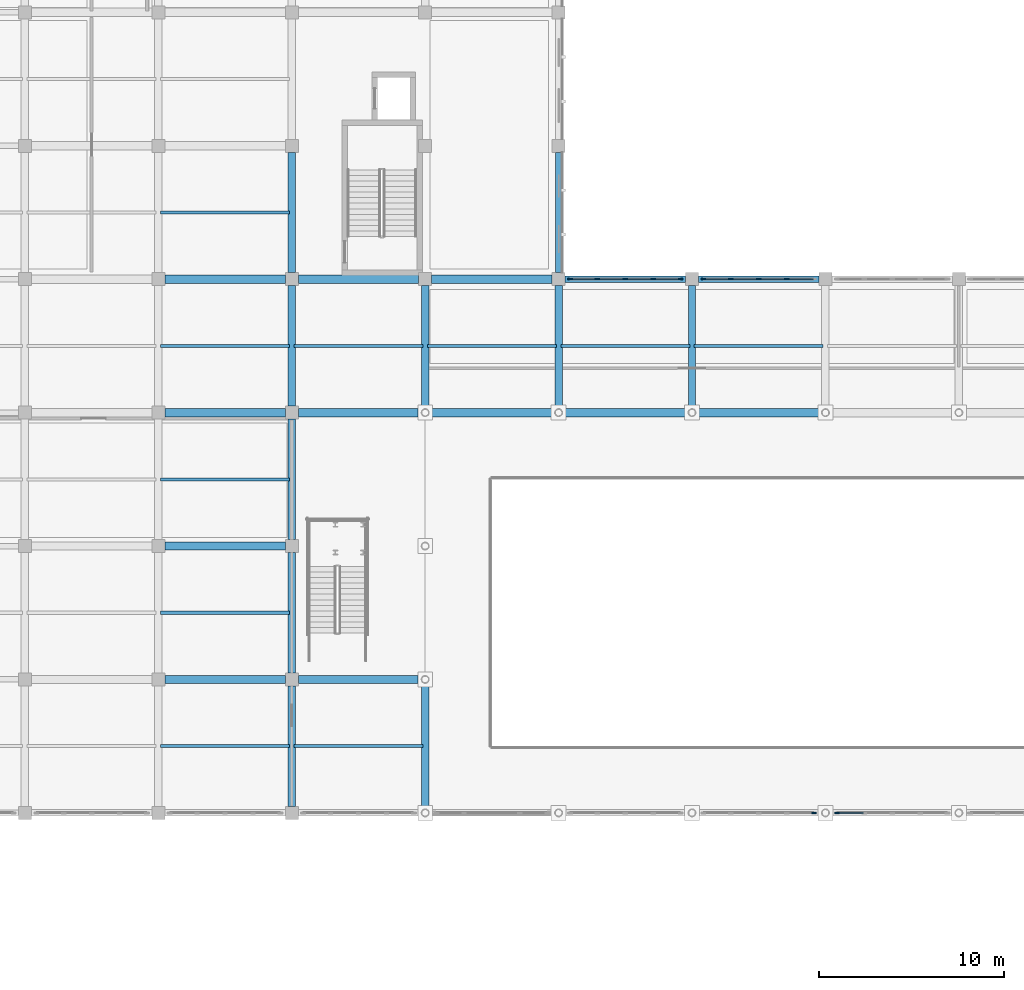
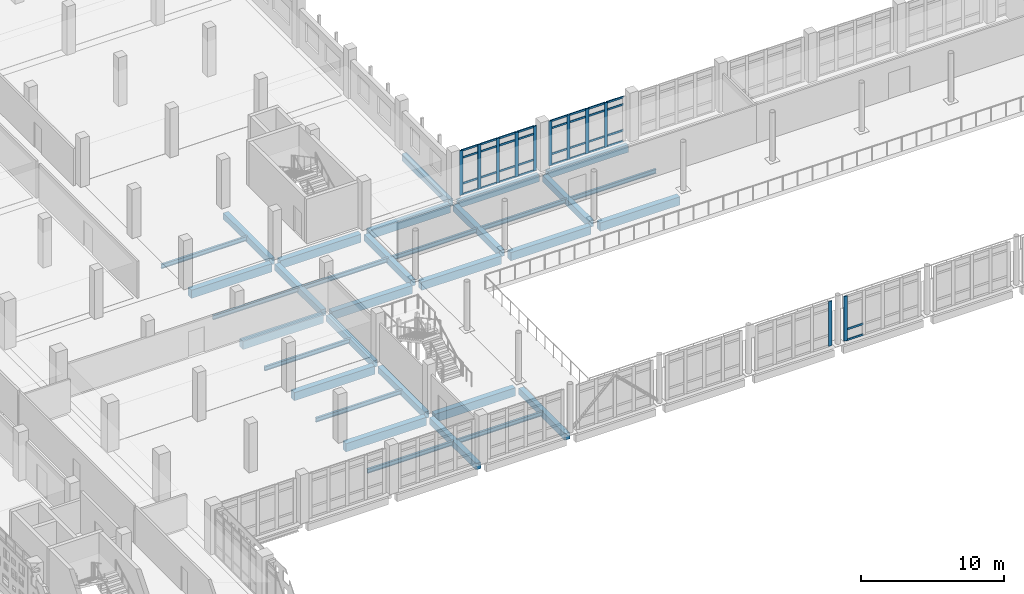
# One storey, part 16 of 62: 45 members, 33 beams, 4 elements without a shape of their own.
"""IFC4 building model written with IfcOpenShell, lengths in metres."""

from ifc_helpers import new_model, si_unit, direction, frame, origin, origin_2d, place, context, subcontext, project, spatial, rectangle, i_section, extrude, material, layer, layer_set, material_profile, profile_set, type_object, element, aggregate, save


model = new_model("IFC4")

# Units and contexts
model_context = context("Model", 3, precision=1e-05, world=origin(), true_north=direction((0.0, 1.0)))
body_context = subcontext(model_context, "Body", "Model", "MODEL_VIEW")
ifc_project = project(units=[si_unit("LENGTHUNIT", "METRE"), si_unit("AREAUNIT", "SQUARE_METRE"), si_unit("VOLUMEUNIT", "CUBIC_METRE"), si_unit("PLANEANGLEUNIT", "RADIAN"), si_unit("MASSUNIT", "GRAM", prefix="KILO")], contexts=[model_context])

# Site, building, storey
site_placement = place(None, origin())
site = spatial("IfcSite", under=ifc_project, at=site_placement, CompositionType="ELEMENT")
building_placement = place(site_placement, origin())
building = spatial("IfcBuilding", under=site, at=building_placement, Name="Valkovuoma Quantum and Materials Research Institute", CompositionType="ELEMENT")
storey_placement = place(building_placement, frame((0.0, 0.0, 8.9599609375)))
storey = spatial("IfcBuildingStorey", under=building, at=storey_placement, Name="L02", CompositionType="ELEMENT", Elevation=8.9599609375)

# Beams
ifc_material_1 = material(Name="Steel S355J2", Category="steel")
ifc_material_profile_1 = material_profile(ifc_material_1, i_section(OverallWidth=0.169921875, OverallDepth=0.360107421875, WebThickness=0.008056640625, FlangeThickness=0.0126953125, FilletRadius=0.01806640625, at=origin_2d()), Name="Steel S355J2")
ifc_profile_set_1 = profile_set([ifc_material_profile_1], Name="Steel S355J2")
beam_type_1 = type_object("IfcBeamType", Name="Beam-B-JST360", PredefinedType="JOIST", material=ifc_profile_set_1)
for number, where, z_axis, x_axis, name in (
    (1, (28.919921875, 39.60009765625, -0.530029296875), (1.0, 0.0, 0.0), (0.0, 1.0, 0.0), "L02 floor joist 1311"),
    (2, (36.1201171875, 39.60009765625, -0.530029296875), (1.0, 0.0, 0.0), (0.0, 1.0, 0.0), "L02 floor joist 1312"),
    (3, (28.919921875, 46.800048828125, -0.530029296875), (1.0, 0.0, 0.0), (0.0, 1.0, 0.0), "L02 floor joist 1323"),
    (4, (28.919921875, 54.0, -0.530029296875), (1.0, 0.0, 0.0), (0.0, 1.0, 0.0), "L02 floor joist 1334"),
    (5, (28.919921875, 61.199951171875, -0.530029296875), (1.0, 0.0, 0.0), (0.0, 1.0, 0.0), "L02 floor joist 1345"),
    (6, (36.1201171875, 61.199951171875, -0.530029296875), (1.0, 0.0, 0.0), (0.0, 1.0, 0.0), "L02 floor joist 1346"),
    (7, (43.320068359375, 61.199951171875, -0.530029296875), (1.0, 0.0, 0.0), (0.0, 1.0, 0.0), "L02 floor joist 1347"),
    (8, (50.52001953125, 61.199951171875, -0.530029296875), (1.0, 0.0, 0.0), (0.0, 1.0, 0.0), "L02 floor joist 1348"),
    (9, (57.719970703125, 61.199951171875, -0.530029296875), (1.0, 0.0, 0.0), (0.0, 1.0, 0.0), "L02 floor joist 1349"),
    (10, (28.919921875, 68.39990234375, -0.530029296875), (1.0, 0.0, 0.0), (0.0, 1.0, 0.0), "L02 floor joist 1364"),
):
    element("IfcBeam", number, at=place(storey_placement, frame(where, z_axis=z_axis, x_axis=x_axis)), inside=storey, type_object=beam_type_1, Name=name, PredefinedType="JOIST", context=body_context, shape_type="SweptSolid", body=[
        extrude(i_section(OverallWidth=0.169921875, OverallDepth=0.360107421875, WebThickness=0.008056640625, FlangeThickness=0.0126953125, FilletRadius=0.01806640625, at=origin_2d()), origin(), (0.0, 0.0, 1.0), 6.9599609375),
    ])
ifc_material_2 = material(Name="Concrete C40/50", Category="concrete")
ifc_material_profile_2 = material_profile(ifc_material_2, rectangle(XDim=0.39990234375, YDim=0.550048828125, at=origin_2d()), Name="Concrete C40/50")
ifc_profile_set_2 = profile_set([ifc_material_profile_2], Name="Concrete C40/50")
beam_type_2 = type_object("IfcBeamType", Name="Beam-B-RC550", PredefinedType="BEAM", material=ifc_profile_set_2)
for number, where, z_axis, x_axis, name in (
    (11, (36.0, 36.35009765625, -0.625), (0.0, 1.0, 0.0), (-1.0, 0.0, 0.0), "L02 beam Y-1188"),
    (12, (36.0, 43.550048828125, -0.625), (0.0, 1.0, 0.0), (-1.0, 0.0, 0.0), "L02 beam Y-1189"),
    (13, (36.0, 50.75, -0.625), (0.0, 1.0, 0.0), (-1.0, 0.0, 0.0), "L02 beam Y-1190"),
    (14, (36.0, 57.949951171875, -0.625), (0.0, 1.0, 0.0), (-1.0, 0.0, 0.0), "L02 beam Y-1191"),
    (15, (36.0, 65.14990234375, -0.625), (0.0, 1.0, 0.0), (-1.0, 0.0, 0.0), "L02 beam Y-1192"),
):
    element("IfcBeam", number, at=place(storey_placement, frame(where, z_axis=z_axis, x_axis=x_axis)), inside=storey, type_object=beam_type_2, Name=name, PredefinedType="BEAM", context=body_context, shape_type="SweptSolid", body=[
        extrude(rectangle(XDim=0.39990234375, YDim=0.550048828125, at=origin_2d()), origin(), (0.0, 0.0, 1.0), 6.5),
    ])
beam_1_placement = place(storey_placement, frame((43.199951171875, 36.375, -0.625), z_axis=(0.0, 1.0, 0.0), x_axis=(-1.0, 0.0, 0.0)))
element("IfcBeam", 16, at=beam_1_placement, inside=storey, type_object=beam_type_2, Name="L02 beam Y-1198", PredefinedType="BEAM", context=body_context, shape_type="SweptSolid", body=[
    extrude(rectangle(XDim=0.39990234375, YDim=0.550048828125, at=origin_2d()), origin(), (0.0, 0.0, 1.0), 6.449951171875),
])
for number, where, z_axis, x_axis, name in (
    (17, (43.199951171875, 57.97509765625, -0.625), (0.0, 1.0, 0.0), (-1.0, 0.0, 0.0), "L02 beam Y-1199"),
    (18, (50.39990234375, 57.97509765625, -0.625), (0.0, 1.0, 0.0), (-1.0, 0.0, 0.0), "L02 beam Y-1204"),
    (19, (57.60009765625, 57.97509765625, -0.625), (0.0, 1.0, 0.0), (-1.0, 0.0, 0.0), "L02 beam Y-1211"),
):
    element("IfcBeam", number, at=place(storey_placement, frame(where, z_axis=z_axis, x_axis=x_axis)), inside=storey, type_object=beam_type_2, Name=name, PredefinedType="BEAM", context=body_context, shape_type="SweptSolid", body=[
        extrude(rectangle(XDim=0.39990234375, YDim=0.550048828125, at=origin_2d()), origin(), (0.0, 0.0, 1.0), 6.474853515625),
    ])
ifc_material_3 = material(Name="Concrete C40/50", Category="concrete")
ifc_material_profile_3 = material_profile(ifc_material_3, rectangle(XDim=0.449951171875, YDim=0.699951171875, at=origin_2d()), Name="Concrete C40/50")
ifc_profile_set_3 = profile_set([ifc_material_profile_3], Name="Concrete C40/50")
beam_type_3 = type_object("IfcBeamType", Name="Beam-B-RC700", PredefinedType="BEAM", material=ifc_profile_set_3)
beam_2_placement = place(storey_placement, frame((29.14990234375, 43.199951171875, -0.699951171875), z_axis=(1.0, 0.0, 0.0), x_axis=(0.0, 1.0, 0.0)))
element("IfcBeam", 20, at=beam_2_placement, inside=storey, type_object=beam_type_3, Name="L02 beam X-1026", PredefinedType="BEAM", context=body_context, shape_type="SweptSolid", body=[
    extrude(rectangle(XDim=0.449951171875, YDim=0.699951171875, at=origin_2d()), origin(), (0.0, 0.0, 1.0), 6.5),
])
beam_3_placement = place(storey_placement, frame((36.35009765625, 43.199951171875, -0.699951171875), z_axis=(1.0, 0.0, 0.0), x_axis=(0.0, 1.0, 0.0)))
element("IfcBeam", 21, at=beam_3_placement, inside=storey, type_object=beam_type_3, Name="L02 beam X-1027", PredefinedType="BEAM", context=body_context, shape_type="SweptSolid", body=[
    extrude(rectangle(XDim=0.449951171875, YDim=0.699951171875, at=origin_2d()), origin(), (0.0, 0.0, 1.0), 6.474853515625),
])
for number, where, z_axis, x_axis, name in (
    (22, (29.14990234375, 50.39990234375, -0.699951171875), (1.0, 0.0, 0.0), (0.0, 1.0, 0.0), "L02 beam X-1038"),
    (23, (29.14990234375, 57.60009765625, -0.699951171875), (1.0, 0.0, 0.0), (0.0, 1.0, 0.0), "L02 beam X-1049"),
):
    element("IfcBeam", number, at=place(storey_placement, frame(where, z_axis=z_axis, x_axis=x_axis)), inside=storey, type_object=beam_type_3, Name=name, PredefinedType="BEAM", context=body_context, shape_type="SweptSolid", body=[
        extrude(rectangle(XDim=0.449951171875, YDim=0.699951171875, at=origin_2d()), origin(), (0.0, 0.0, 1.0), 6.5),
    ])
beam_4_placement = place(storey_placement, frame((36.35009765625, 57.60009765625, -0.699951171875), z_axis=(1.0, 0.0, 0.0), x_axis=(0.0, 1.0, 0.0)))
element("IfcBeam", 24, at=beam_4_placement, inside=storey, type_object=beam_type_3, Name="L02 beam X-1050", PredefinedType="BEAM", context=body_context, shape_type="SweptSolid", body=[
    extrude(rectangle(XDim=0.449951171875, YDim=0.699951171875, at=origin_2d()), origin(), (0.0, 0.0, 1.0), 6.474853515625),
])
beam_5_placement = place(storey_placement, frame((43.574951171875, 57.60009765625, -0.699951171875), z_axis=(1.0, 0.0, 0.0), x_axis=(0.0, 1.0, 0.0)))
element("IfcBeam", 25, at=beam_5_placement, inside=storey, type_object=beam_type_3, Name="L02 beam X-1051", PredefinedType="BEAM", context=body_context, shape_type="SweptSolid", body=[
    extrude(rectangle(XDim=0.449951171875, YDim=0.699951171875, at=origin_2d()), origin(), (0.0, 0.0, 1.0), 6.449951171875),
])
beam_6_placement = place(storey_placement, frame((50.77490234375, 57.60009765625, -0.699951171875), z_axis=(1.0, 0.0, 0.0), x_axis=(0.0, 1.0, 0.0)))
element("IfcBeam", 26, at=beam_6_placement, inside=storey, type_object=beam_type_3, Name="L02 beam X-1052", PredefinedType="BEAM", context=body_context, shape_type="SweptSolid", body=[
    extrude(rectangle(XDim=0.449951171875, YDim=0.699951171875, at=origin_2d()), origin(), (0.0, 0.0, 1.0), 6.4501953125),
])
beam_7_placement = place(storey_placement, frame((57.97509765625, 57.60009765625, -0.699951171875), z_axis=(1.0, 0.0, 0.0), x_axis=(0.0, 1.0, 0.0)))
element("IfcBeam", 27, at=beam_7_placement, inside=storey, type_object=beam_type_3, Name="L02 beam X-1053", PredefinedType="BEAM", context=body_context, shape_type="SweptSolid", body=[
    extrude(rectangle(XDim=0.449951171875, YDim=0.699951171875, at=origin_2d()), origin(), (0.0, 0.0, 1.0), 6.449951171875),
])
for number, where, z_axis, x_axis, name in (
    (28, (29.14990234375, 64.800048828125, -0.699951171875), (1.0, 0.0, 0.0), (0.0, 1.0, 0.0), "L02 beam X-1069"),
    (29, (36.35009765625, 64.800048828125, -0.699951171875), (1.0, 0.0, 0.0), (0.0, 1.0, 0.0), "L02 beam X-1070"),
    (30, (43.550048828125, 64.800048828125, -0.699951171875), (1.0, 0.0, 0.0), (0.0, 1.0, 0.0), "L02 beam X-1071"),
):
    element("IfcBeam", number, at=place(storey_placement, frame(where, z_axis=z_axis, x_axis=x_axis)), inside=storey, type_object=beam_type_3, Name=name, PredefinedType="BEAM", context=body_context, shape_type="SweptSolid", body=[
        extrude(rectangle(XDim=0.449951171875, YDim=0.699951171875, at=origin_2d()), origin(), (0.0, 0.0, 1.0), 6.5),
    ])
ifc_material_4 = material(Name="Concrete C40/50", Category="concrete")
ifc_material_profile_4 = material_profile(ifc_material_4, rectangle(XDim=0.35009765625, YDim=0.60009765625, at=origin_2d()), Name="Concrete C40/50")
ifc_profile_set_4 = profile_set([ifc_material_profile_4], Name="Concrete C40/50")
beam_type_4 = type_object("IfcBeamType", Name="Beam-B-SPN600", PredefinedType="SPANDREL", material=ifc_profile_set_4)
for number, where, z_axis, x_axis, name in (
    (31, (50.75, 64.800048828125, -0.64990234375), (1.0, 0.0, 0.0), (0.0, 1.0, 0.0), "L02 beam X-1072"),
    (32, (57.949951171875, 64.800048828125, -0.64990234375), (1.0, 0.0, 0.0), (0.0, 1.0, 0.0), "L02 beam X-1073"),
    (33, (50.39990234375, 65.14990234375, -0.64990234375), (0.0, 1.0, 0.0), (-1.0, 0.0, 0.0), "L02 beam Y-1205"),
):
    element("IfcBeam", number, at=place(storey_placement, frame(where, z_axis=z_axis, x_axis=x_axis)), inside=storey, type_object=beam_type_4, Name=name, PredefinedType="SPANDREL", context=body_context, shape_type="SweptSolid", body=[
        extrude(rectangle(XDim=0.35009765625, YDim=0.60009765625, at=origin_2d()), origin(), (0.0, 0.0, 1.0), 6.5),
    ])

# Curtain wall, member
ifc_material_5 = material(Name="Thermally broken aluminium and triple low-E glazing", Category="aluminium")
ifc_layer = layer(ifc_material_5, 0.219970703125)
ifc_layer_set = layer_set([ifc_layer], Name="Thermally broken aluminium and triple low-E glazing")
curtain_wall_type = type_object("IfcCurtainWallType", Name="CW-CW-02", PredefinedType="NOTDEFINED", material=ifc_layer_set)
curtain_wall_1_placement = place(storey_placement, origin())
curtain_wall_1 = element("IfcCurtainWall", 34, at=curtain_wall_1_placement, inside=storey, type_object=curtain_wall_type, Name="L02 curtain wall 185", PredefinedType="NOTDEFINED")
ifc_material_6 = material(Name="Anodised aluminium 6060-T66", Category="aluminium")
ifc_material_profile_5 = material_profile(ifc_material_6, rectangle(XDim=0.080078125, YDim=0.260009765625, at=origin_2d()), Name="Anodised aluminium 6060-T66")
ifc_profile_set_5 = profile_set([ifc_material_profile_5], Name="Anodised aluminium 6060-T66")
member_type_1 = type_object("IfcMemberType", Name="CWMull-CWM-03", PredefinedType="MULLION", material=ifc_profile_set_5)
member_1_placement = place(storey_placement, frame((64.179931640625, 36.0, 0.0), z_axis=(0.0, 0.0, 1.0), x_axis=(0.0, 1.0, 0.0)))
member_1 = element("IfcMember", 35, at=member_1_placement, type_object=member_type_1, Name="CW-02 mullion 5", PredefinedType="MULLION", context=body_context, shape_type="SweptSolid", body=[
    extrude(rectangle(XDim=0.080078125, YDim=0.260009765625, at=origin_2d()), origin(), (0.0, 0.0, 1.0), 3.81005859375),
])
aggregate(curtain_wall_1, [member_1])

curtain_wall_2_placement = place(storey_placement, origin())
curtain_wall_2 = element("IfcCurtainWall", 36, at=curtain_wall_2_placement, inside=storey, type_object=curtain_wall_type, Name="L02 curtain wall 186", PredefinedType="NOTDEFINED")
member_2_placement = place(storey_placement, frame((65.419921875, 36.0, 0.0), z_axis=(0.0, 0.0, 1.0), x_axis=(0.0, 1.0, 0.0)))
member_2 = element("IfcMember", 37, at=member_2_placement, type_object=member_type_1, Name="CW-02 mullion 1", PredefinedType="MULLION", context=body_context, shape_type="SweptSolid", body=[
    extrude(rectangle(XDim=0.080078125, YDim=0.260009765625, at=origin_2d()), origin(), (0.0, 0.0, 1.0), 3.81005859375),
])

# Curtain wall, members
curtain_wall_3_placement = place(storey_placement, origin())
curtain_wall_3 = element("IfcCurtainWall", 38, at=curtain_wall_3_placement, inside=storey, type_object=curtain_wall_type, Name="L02 curtain wall 191", PredefinedType="NOTDEFINED")
member_3_placement = place(storey_placement, frame((51.02001953125, 64.800048828125, 0.0), z_axis=(0.0, 0.0, 1.0), x_axis=(0.0, 1.0, 0.0)))
member_3 = element("IfcMember", 39, at=member_3_placement, type_object=member_type_1, Name="CW-02 mullion 1", PredefinedType="MULLION", context=body_context, shape_type="SweptSolid", body=[
    extrude(rectangle(XDim=0.080078125, YDim=0.260009765625, at=origin_2d()), origin(), (0.0, 0.0, 1.0), 3.81005859375),
])
member_4_placement = place(storey_placement, frame((52.489990234375, 64.800048828125, 0.0), z_axis=(0.0, 0.0, 1.0), x_axis=(0.0, 1.0, 0.0)))
member_4 = element("IfcMember", 40, at=member_4_placement, type_object=member_type_1, Name="CW-02 mullion 2", PredefinedType="MULLION", context=body_context, shape_type="SweptSolid", body=[
    extrude(rectangle(XDim=0.080078125, YDim=0.260009765625, at=origin_2d()), origin(), (0.0, 0.0, 1.0), 3.81005859375),
])
member_5_placement = place(storey_placement, frame((54.0, 64.800048828125, 0.0), z_axis=(0.0, 0.0, 1.0), x_axis=(0.0, 1.0, 0.0)))
member_5 = element("IfcMember", 41, at=member_5_placement, type_object=member_type_1, Name="CW-02 mullion 3", PredefinedType="MULLION", context=body_context, shape_type="SweptSolid", body=[
    extrude(rectangle(XDim=0.080078125, YDim=0.260009765625, at=origin_2d()), origin(), (0.0, 0.0, 1.0), 3.81005859375),
])
member_6_placement = place(storey_placement, frame((55.510009765625, 64.800048828125, 0.0), z_axis=(0.0, 0.0, 1.0), x_axis=(0.0, 1.0, 0.0)))
member_6 = element("IfcMember", 42, at=member_6_placement, type_object=member_type_1, Name="CW-02 mullion 4", PredefinedType="MULLION", context=body_context, shape_type="SweptSolid", body=[
    extrude(rectangle(XDim=0.080078125, YDim=0.260009765625, at=origin_2d()), origin(), (0.0, 0.0, 1.0), 3.81005859375),
])
member_7_placement = place(storey_placement, frame((56.97998046875, 64.800048828125, 0.0), z_axis=(0.0, 0.0, 1.0), x_axis=(0.0, 1.0, 0.0)))
member_7 = element("IfcMember", 43, at=member_7_placement, type_object=member_type_1, Name="CW-02 mullion 5", PredefinedType="MULLION", context=body_context, shape_type="SweptSolid", body=[
    extrude(rectangle(XDim=0.080078125, YDim=0.260009765625, at=origin_2d()), origin(), (0.0, 0.0, 1.0), 3.81005859375),
])

curtain_wall_4_placement = place(storey_placement, origin())
curtain_wall_4 = element("IfcCurtainWall", 44, at=curtain_wall_4_placement, inside=storey, type_object=curtain_wall_type, Name="L02 curtain wall 192", PredefinedType="NOTDEFINED")
member_8_placement = place(storey_placement, frame((58.219970703125, 64.800048828125, 0.0), z_axis=(0.0, 0.0, 1.0), x_axis=(0.0, 1.0, 0.0)))
member_8 = element("IfcMember", 45, at=member_8_placement, type_object=member_type_1, Name="CW-02 mullion 1", PredefinedType="MULLION", context=body_context, shape_type="SweptSolid", body=[
    extrude(rectangle(XDim=0.080078125, YDim=0.260009765625, at=origin_2d()), origin(), (0.0, 0.0, 1.0), 3.81005859375),
])
member_9_placement = place(storey_placement, frame((59.68994140625, 64.800048828125, 0.0), z_axis=(0.0, 0.0, 1.0), x_axis=(0.0, 1.0, 0.0)))
member_9 = element("IfcMember", 46, at=member_9_placement, type_object=member_type_1, Name="CW-02 mullion 2", PredefinedType="MULLION", context=body_context, shape_type="SweptSolid", body=[
    extrude(rectangle(XDim=0.080078125, YDim=0.260009765625, at=origin_2d()), origin(), (0.0, 0.0, 1.0), 3.81005859375),
])
member_10_placement = place(storey_placement, frame((61.199951171875, 64.800048828125, 0.0), z_axis=(0.0, 0.0, 1.0), x_axis=(0.0, 1.0, 0.0)))
member_10 = element("IfcMember", 47, at=member_10_placement, type_object=member_type_1, Name="CW-02 mullion 3", PredefinedType="MULLION", context=body_context, shape_type="SweptSolid", body=[
    extrude(rectangle(XDim=0.080078125, YDim=0.260009765625, at=origin_2d()), origin(), (0.0, 0.0, 1.0), 3.81005859375),
])
member_11_placement = place(storey_placement, frame((62.7099609375, 64.800048828125, 0.0), z_axis=(0.0, 0.0, 1.0), x_axis=(0.0, 1.0, 0.0)))
member_11 = element("IfcMember", 48, at=member_11_placement, type_object=member_type_1, Name="CW-02 mullion 4", PredefinedType="MULLION", context=body_context, shape_type="SweptSolid", body=[
    extrude(rectangle(XDim=0.080078125, YDim=0.260009765625, at=origin_2d()), origin(), (0.0, 0.0, 1.0), 3.81005859375),
])

# Member
ifc_material_7 = material(Name="Anodised aluminium 6060-T66", Category="aluminium")
ifc_material_profile_6 = material_profile(ifc_material_7, rectangle(XDim=0.074951171875, YDim=0.159912109375, at=origin_2d()), Name="Anodised aluminium 6060-T66")
ifc_profile_set_6 = profile_set([ifc_material_profile_6], Name="Anodised aluminium 6060-T66")
member_type_2 = type_object("IfcMemberType", Name="CWTran-CWT-02", PredefinedType="USERDEFINED", material=ifc_profile_set_6)
member_12_placement = place(storey_placement, frame((65.4599609375, 36.0, 0.03759765625), z_axis=(1.0, 0.0, 0.0), x_axis=(0.0, 1.0, 0.0)))
member_12 = element("IfcMember", 49, at=member_12_placement, type_object=member_type_2, Name="CW-02 transom 1.1", ObjectType="TRANSOM", PredefinedType="USERDEFINED", context=body_context, shape_type="SweptSolid", body=[
    extrude(rectangle(XDim=0.074951171875, YDim=0.159912109375, at=origin_2d()), origin(), (0.0, 0.0, 1.0), 1.39013671875),
])

member_13_placement = place(storey_placement, frame((65.4599609375, 36.0, 0.949951171875), z_axis=(1.0, 0.0, 0.0), x_axis=(0.0, 1.0, 0.0)))
member_13 = element("IfcMember", 50, at=member_13_placement, type_object=member_type_2, Name="CW-02 transom 1.2", ObjectType="TRANSOM", PredefinedType="USERDEFINED", context=body_context, shape_type="SweptSolid", body=[
    extrude(rectangle(XDim=0.074951171875, YDim=0.159912109375, at=origin_2d()), origin(), (0.0, 0.0, 1.0), 1.39013671875),
])

aggregate(curtain_wall_2, [member_2, member_12, member_13])

member_14_placement = place(storey_placement, frame((51.06005859375, 64.800048828125, 0.03759765625), z_axis=(1.0, 0.0, 0.0), x_axis=(0.0, 1.0, 0.0)))
member_14 = element("IfcMember", 51, at=member_14_placement, type_object=member_type_2, Name="CW-02 transom 1.1", ObjectType="TRANSOM", PredefinedType="USERDEFINED", context=body_context, shape_type="SweptSolid", body=[
    extrude(rectangle(XDim=0.074951171875, YDim=0.159912109375, at=origin_2d()), origin(), (0.0, 0.0, 1.0), 1.389892578125),
])

member_15_placement = place(storey_placement, frame((51.06005859375, 64.800048828125, 0.949951171875), z_axis=(1.0, 0.0, 0.0), x_axis=(0.0, 1.0, 0.0)))
member_15 = element("IfcMember", 52, at=member_15_placement, type_object=member_type_2, Name="CW-02 transom 1.2", ObjectType="TRANSOM", PredefinedType="USERDEFINED", context=body_context, shape_type="SweptSolid", body=[
    extrude(rectangle(XDim=0.074951171875, YDim=0.159912109375, at=origin_2d()), origin(), (0.0, 0.0, 1.0), 1.389892578125),
])

member_16_placement = place(storey_placement, frame((51.06005859375, 64.800048828125, 3.16015625), z_axis=(1.0, 0.0, 0.0), x_axis=(0.0, 1.0, 0.0)))
member_16 = element("IfcMember", 53, at=member_16_placement, type_object=member_type_2, Name="CW-02 transom 1.3", ObjectType="TRANSOM", PredefinedType="USERDEFINED", context=body_context, shape_type="SweptSolid", body=[
    extrude(rectangle(XDim=0.074951171875, YDim=0.159912109375, at=origin_2d()), origin(), (0.0, 0.0, 1.0), 1.389892578125),
])

member_17_placement = place(storey_placement, frame((51.06005859375, 64.800048828125, 3.7724609375), z_axis=(1.0, 0.0, 0.0), x_axis=(0.0, 1.0, 0.0)))
member_17 = element("IfcMember", 54, at=member_17_placement, type_object=member_type_2, Name="CW-02 transom 1.4", ObjectType="TRANSOM", PredefinedType="USERDEFINED", context=body_context, shape_type="SweptSolid", body=[
    extrude(rectangle(XDim=0.074951171875, YDim=0.159912109375, at=origin_2d()), origin(), (0.0, 0.0, 1.0), 1.389892578125),
])

member_18_placement = place(storey_placement, frame((52.530029296875, 64.800048828125, 0.03759765625), z_axis=(1.0, 0.0, 0.0), x_axis=(0.0, 1.0, 0.0)))
member_18 = element("IfcMember", 55, at=member_18_placement, type_object=member_type_2, Name="CW-02 transom 2.1", ObjectType="TRANSOM", PredefinedType="USERDEFINED", context=body_context, shape_type="SweptSolid", body=[
    extrude(rectangle(XDim=0.074951171875, YDim=0.159912109375, at=origin_2d()), origin(), (0.0, 0.0, 1.0), 1.429931640625),
])

member_19_placement = place(storey_placement, frame((52.530029296875, 64.800048828125, 0.949951171875), z_axis=(1.0, 0.0, 0.0), x_axis=(0.0, 1.0, 0.0)))
member_19 = element("IfcMember", 56, at=member_19_placement, type_object=member_type_2, Name="CW-02 transom 2.2", ObjectType="TRANSOM", PredefinedType="USERDEFINED", context=body_context, shape_type="SweptSolid", body=[
    extrude(rectangle(XDim=0.074951171875, YDim=0.159912109375, at=origin_2d()), origin(), (0.0, 0.0, 1.0), 1.429931640625),
])

member_20_placement = place(storey_placement, frame((52.530029296875, 64.800048828125, 3.16015625), z_axis=(1.0, 0.0, 0.0), x_axis=(0.0, 1.0, 0.0)))
member_20 = element("IfcMember", 57, at=member_20_placement, type_object=member_type_2, Name="CW-02 transom 2.3", ObjectType="TRANSOM", PredefinedType="USERDEFINED", context=body_context, shape_type="SweptSolid", body=[
    extrude(rectangle(XDim=0.074951171875, YDim=0.159912109375, at=origin_2d()), origin(), (0.0, 0.0, 1.0), 1.429931640625),
])

member_21_placement = place(storey_placement, frame((52.530029296875, 64.800048828125, 3.7724609375), z_axis=(1.0, 0.0, 0.0), x_axis=(0.0, 1.0, 0.0)))
member_21 = element("IfcMember", 58, at=member_21_placement, type_object=member_type_2, Name="CW-02 transom 2.4", ObjectType="TRANSOM", PredefinedType="USERDEFINED", context=body_context, shape_type="SweptSolid", body=[
    extrude(rectangle(XDim=0.074951171875, YDim=0.159912109375, at=origin_2d()), origin(), (0.0, 0.0, 1.0), 1.429931640625),
])

member_22_placement = place(storey_placement, frame((54.0400390625, 64.800048828125, 0.03759765625), z_axis=(1.0, 0.0, 0.0), x_axis=(0.0, 1.0, 0.0)))
member_22 = element("IfcMember", 59, at=member_22_placement, type_object=member_type_2, Name="CW-02 transom 3.1", ObjectType="TRANSOM", PredefinedType="USERDEFINED", context=body_context, shape_type="SweptSolid", body=[
    extrude(rectangle(XDim=0.074951171875, YDim=0.159912109375, at=origin_2d()), origin(), (0.0, 0.0, 1.0), 1.429931640625),
])

member_23_placement = place(storey_placement, frame((54.0400390625, 64.800048828125, 0.949951171875), z_axis=(1.0, 0.0, 0.0), x_axis=(0.0, 1.0, 0.0)))
member_23 = element("IfcMember", 60, at=member_23_placement, type_object=member_type_2, Name="CW-02 transom 3.2", ObjectType="TRANSOM", PredefinedType="USERDEFINED", context=body_context, shape_type="SweptSolid", body=[
    extrude(rectangle(XDim=0.074951171875, YDim=0.159912109375, at=origin_2d()), origin(), (0.0, 0.0, 1.0), 1.429931640625),
])

member_24_placement = place(storey_placement, frame((54.0400390625, 64.800048828125, 3.16015625), z_axis=(1.0, 0.0, 0.0), x_axis=(0.0, 1.0, 0.0)))
member_24 = element("IfcMember", 61, at=member_24_placement, type_object=member_type_2, Name="CW-02 transom 3.3", ObjectType="TRANSOM", PredefinedType="USERDEFINED", context=body_context, shape_type="SweptSolid", body=[
    extrude(rectangle(XDim=0.074951171875, YDim=0.159912109375, at=origin_2d()), origin(), (0.0, 0.0, 1.0), 1.429931640625),
])

member_25_placement = place(storey_placement, frame((54.0400390625, 64.800048828125, 3.7724609375), z_axis=(1.0, 0.0, 0.0), x_axis=(0.0, 1.0, 0.0)))
member_25 = element("IfcMember", 62, at=member_25_placement, type_object=member_type_2, Name="CW-02 transom 3.4", ObjectType="TRANSOM", PredefinedType="USERDEFINED", context=body_context, shape_type="SweptSolid", body=[
    extrude(rectangle(XDim=0.074951171875, YDim=0.159912109375, at=origin_2d()), origin(), (0.0, 0.0, 1.0), 1.429931640625),
])

member_26_placement = place(storey_placement, frame((55.550048828125, 64.800048828125, 0.03759765625), z_axis=(1.0, 0.0, 0.0), x_axis=(0.0, 1.0, 0.0)))
member_26 = element("IfcMember", 63, at=member_26_placement, type_object=member_type_2, Name="CW-02 transom 4.1", ObjectType="TRANSOM", PredefinedType="USERDEFINED", context=body_context, shape_type="SweptSolid", body=[
    extrude(rectangle(XDim=0.074951171875, YDim=0.159912109375, at=origin_2d()), origin(), (0.0, 0.0, 1.0), 1.389892578125),
])

member_27_placement = place(storey_placement, frame((55.550048828125, 64.800048828125, 0.949951171875), z_axis=(1.0, 0.0, 0.0), x_axis=(0.0, 1.0, 0.0)))
member_27 = element("IfcMember", 64, at=member_27_placement, type_object=member_type_2, Name="CW-02 transom 4.2", ObjectType="TRANSOM", PredefinedType="USERDEFINED", context=body_context, shape_type="SweptSolid", body=[
    extrude(rectangle(XDim=0.074951171875, YDim=0.159912109375, at=origin_2d()), origin(), (0.0, 0.0, 1.0), 1.389892578125),
])

member_28_placement = place(storey_placement, frame((55.550048828125, 64.800048828125, 3.16015625), z_axis=(1.0, 0.0, 0.0), x_axis=(0.0, 1.0, 0.0)))
member_28 = element("IfcMember", 65, at=member_28_placement, type_object=member_type_2, Name="CW-02 transom 4.3", ObjectType="TRANSOM", PredefinedType="USERDEFINED", context=body_context, shape_type="SweptSolid", body=[
    extrude(rectangle(XDim=0.074951171875, YDim=0.159912109375, at=origin_2d()), origin(), (0.0, 0.0, 1.0), 1.389892578125),
])

member_29_placement = place(storey_placement, frame((55.550048828125, 64.800048828125, 3.7724609375), z_axis=(1.0, 0.0, 0.0), x_axis=(0.0, 1.0, 0.0)))
member_29 = element("IfcMember", 66, at=member_29_placement, type_object=member_type_2, Name="CW-02 transom 4.4", ObjectType="TRANSOM", PredefinedType="USERDEFINED", context=body_context, shape_type="SweptSolid", body=[
    extrude(rectangle(XDim=0.074951171875, YDim=0.159912109375, at=origin_2d()), origin(), (0.0, 0.0, 1.0), 1.389892578125),
])

aggregate(curtain_wall_3, [member_3, member_4, member_5, member_6, member_7, member_14, member_15, member_16, member_17, member_18, member_19, member_20, member_21, member_22, member_23, member_24, member_25, member_26, member_27, member_28, member_29])

member_30_placement = place(storey_placement, frame((58.260009765625, 64.800048828125, 0.03759765625), z_axis=(1.0, 0.0, 0.0), x_axis=(0.0, 1.0, 0.0)))
member_30 = element("IfcMember", 67, at=member_30_placement, type_object=member_type_2, Name="CW-02 transom 1.1", ObjectType="TRANSOM", PredefinedType="USERDEFINED", context=body_context, shape_type="SweptSolid", body=[
    extrude(rectangle(XDim=0.074951171875, YDim=0.159912109375, at=origin_2d()), origin(), (0.0, 0.0, 1.0), 1.389892578125),
])

member_31_placement = place(storey_placement, frame((58.260009765625, 64.800048828125, 0.949951171875), z_axis=(1.0, 0.0, 0.0), x_axis=(0.0, 1.0, 0.0)))
member_31 = element("IfcMember", 68, at=member_31_placement, type_object=member_type_2, Name="CW-02 transom 1.2", ObjectType="TRANSOM", PredefinedType="USERDEFINED", context=body_context, shape_type="SweptSolid", body=[
    extrude(rectangle(XDim=0.074951171875, YDim=0.159912109375, at=origin_2d()), origin(), (0.0, 0.0, 1.0), 1.389892578125),
])

member_32_placement = place(storey_placement, frame((58.260009765625, 64.800048828125, 3.16015625), z_axis=(1.0, 0.0, 0.0), x_axis=(0.0, 1.0, 0.0)))
member_32 = element("IfcMember", 69, at=member_32_placement, type_object=member_type_2, Name="CW-02 transom 1.3", ObjectType="TRANSOM", PredefinedType="USERDEFINED", context=body_context, shape_type="SweptSolid", body=[
    extrude(rectangle(XDim=0.074951171875, YDim=0.159912109375, at=origin_2d()), origin(), (0.0, 0.0, 1.0), 1.389892578125),
])

member_33_placement = place(storey_placement, frame((58.260009765625, 64.800048828125, 3.7724609375), z_axis=(1.0, 0.0, 0.0), x_axis=(0.0, 1.0, 0.0)))
member_33 = element("IfcMember", 70, at=member_33_placement, type_object=member_type_2, Name="CW-02 transom 1.4", ObjectType="TRANSOM", PredefinedType="USERDEFINED", context=body_context, shape_type="SweptSolid", body=[
    extrude(rectangle(XDim=0.074951171875, YDim=0.159912109375, at=origin_2d()), origin(), (0.0, 0.0, 1.0), 1.389892578125),
])

member_34_placement = place(storey_placement, frame((59.72998046875, 64.800048828125, 0.03759765625), z_axis=(1.0, 0.0, 0.0), x_axis=(0.0, 1.0, 0.0)))
member_34 = element("IfcMember", 71, at=member_34_placement, type_object=member_type_2, Name="CW-02 transom 2.1", ObjectType="TRANSOM", PredefinedType="USERDEFINED", context=body_context, shape_type="SweptSolid", body=[
    extrude(rectangle(XDim=0.074951171875, YDim=0.159912109375, at=origin_2d()), origin(), (0.0, 0.0, 1.0), 1.429931640625),
])

member_35_placement = place(storey_placement, frame((59.72998046875, 64.800048828125, 0.949951171875), z_axis=(1.0, 0.0, 0.0), x_axis=(0.0, 1.0, 0.0)))
member_35 = element("IfcMember", 72, at=member_35_placement, type_object=member_type_2, Name="CW-02 transom 2.2", ObjectType="TRANSOM", PredefinedType="USERDEFINED", context=body_context, shape_type="SweptSolid", body=[
    extrude(rectangle(XDim=0.074951171875, YDim=0.159912109375, at=origin_2d()), origin(), (0.0, 0.0, 1.0), 1.429931640625),
])

member_36_placement = place(storey_placement, frame((59.72998046875, 64.800048828125, 3.16015625), z_axis=(1.0, 0.0, 0.0), x_axis=(0.0, 1.0, 0.0)))
member_36 = element("IfcMember", 73, at=member_36_placement, type_object=member_type_2, Name="CW-02 transom 2.3", ObjectType="TRANSOM", PredefinedType="USERDEFINED", context=body_context, shape_type="SweptSolid", body=[
    extrude(rectangle(XDim=0.074951171875, YDim=0.159912109375, at=origin_2d()), origin(), (0.0, 0.0, 1.0), 1.429931640625),
])

member_37_placement = place(storey_placement, frame((59.72998046875, 64.800048828125, 3.7724609375), z_axis=(1.0, 0.0, 0.0), x_axis=(0.0, 1.0, 0.0)))
member_37 = element("IfcMember", 74, at=member_37_placement, type_object=member_type_2, Name="CW-02 transom 2.4", ObjectType="TRANSOM", PredefinedType="USERDEFINED", context=body_context, shape_type="SweptSolid", body=[
    extrude(rectangle(XDim=0.074951171875, YDim=0.159912109375, at=origin_2d()), origin(), (0.0, 0.0, 1.0), 1.429931640625),
])

member_38_placement = place(storey_placement, frame((61.239990234375, 64.800048828125, 0.03759765625), z_axis=(1.0, 0.0, 0.0), x_axis=(0.0, 1.0, 0.0)))
member_38 = element("IfcMember", 75, at=member_38_placement, type_object=member_type_2, Name="CW-02 transom 3.1", ObjectType="TRANSOM", PredefinedType="USERDEFINED", context=body_context, shape_type="SweptSolid", body=[
    extrude(rectangle(XDim=0.074951171875, YDim=0.159912109375, at=origin_2d()), origin(), (0.0, 0.0, 1.0), 1.429931640625),
])

member_39_placement = place(storey_placement, frame((61.239990234375, 64.800048828125, 0.949951171875), z_axis=(1.0, 0.0, 0.0), x_axis=(0.0, 1.0, 0.0)))
member_39 = element("IfcMember", 76, at=member_39_placement, type_object=member_type_2, Name="CW-02 transom 3.2", ObjectType="TRANSOM", PredefinedType="USERDEFINED", context=body_context, shape_type="SweptSolid", body=[
    extrude(rectangle(XDim=0.074951171875, YDim=0.159912109375, at=origin_2d()), origin(), (0.0, 0.0, 1.0), 1.429931640625),
])

member_40_placement = place(storey_placement, frame((61.239990234375, 64.800048828125, 3.16015625), z_axis=(1.0, 0.0, 0.0), x_axis=(0.0, 1.0, 0.0)))
member_40 = element("IfcMember", 77, at=member_40_placement, type_object=member_type_2, Name="CW-02 transom 3.3", ObjectType="TRANSOM", PredefinedType="USERDEFINED", context=body_context, shape_type="SweptSolid", body=[
    extrude(rectangle(XDim=0.074951171875, YDim=0.159912109375, at=origin_2d()), origin(), (0.0, 0.0, 1.0), 1.429931640625),
])

member_41_placement = place(storey_placement, frame((61.239990234375, 64.800048828125, 3.7724609375), z_axis=(1.0, 0.0, 0.0), x_axis=(0.0, 1.0, 0.0)))
member_41 = element("IfcMember", 78, at=member_41_placement, type_object=member_type_2, Name="CW-02 transom 3.4", ObjectType="TRANSOM", PredefinedType="USERDEFINED", context=body_context, shape_type="SweptSolid", body=[
    extrude(rectangle(XDim=0.074951171875, YDim=0.159912109375, at=origin_2d()), origin(), (0.0, 0.0, 1.0), 1.429931640625),
])

member_42_placement = place(storey_placement, frame((62.75, 64.800048828125, 0.03759765625), z_axis=(1.0, 0.0, 0.0), x_axis=(0.0, 1.0, 0.0)))
member_42 = element("IfcMember", 79, at=member_42_placement, type_object=member_type_2, Name="CW-02 transom 4.1", ObjectType="TRANSOM", PredefinedType="USERDEFINED", context=body_context, shape_type="SweptSolid", body=[
    extrude(rectangle(XDim=0.074951171875, YDim=0.159912109375, at=origin_2d()), origin(), (0.0, 0.0, 1.0), 1.389892578125),
])

member_43_placement = place(storey_placement, frame((62.75, 64.800048828125, 0.949951171875), z_axis=(1.0, 0.0, 0.0), x_axis=(0.0, 1.0, 0.0)))
member_43 = element("IfcMember", 80, at=member_43_placement, type_object=member_type_2, Name="CW-02 transom 4.2", ObjectType="TRANSOM", PredefinedType="USERDEFINED", context=body_context, shape_type="SweptSolid", body=[
    extrude(rectangle(XDim=0.074951171875, YDim=0.159912109375, at=origin_2d()), origin(), (0.0, 0.0, 1.0), 1.389892578125),
])

member_44_placement = place(storey_placement, frame((62.75, 64.800048828125, 3.16015625), z_axis=(1.0, 0.0, 0.0), x_axis=(0.0, 1.0, 0.0)))
member_44 = element("IfcMember", 81, at=member_44_placement, type_object=member_type_2, Name="CW-02 transom 4.3", ObjectType="TRANSOM", PredefinedType="USERDEFINED", context=body_context, shape_type="SweptSolid", body=[
    extrude(rectangle(XDim=0.074951171875, YDim=0.159912109375, at=origin_2d()), origin(), (0.0, 0.0, 1.0), 1.389892578125),
])

member_45_placement = place(storey_placement, frame((62.75, 64.800048828125, 3.7724609375), z_axis=(1.0, 0.0, 0.0), x_axis=(0.0, 1.0, 0.0)))
member_45 = element("IfcMember", 82, at=member_45_placement, type_object=member_type_2, Name="CW-02 transom 4.4", ObjectType="TRANSOM", PredefinedType="USERDEFINED", context=body_context, shape_type="SweptSolid", body=[
    extrude(rectangle(XDim=0.074951171875, YDim=0.159912109375, at=origin_2d()), origin(), (0.0, 0.0, 1.0), 1.389892578125),
])

aggregate(curtain_wall_4, [member_8, member_9, member_10, member_11, member_30, member_31, member_32, member_33, member_34, member_35, member_36, member_37, member_38, member_39, member_40, member_41, member_42, member_43, member_44, member_45])

save(model, "model.ifc")
